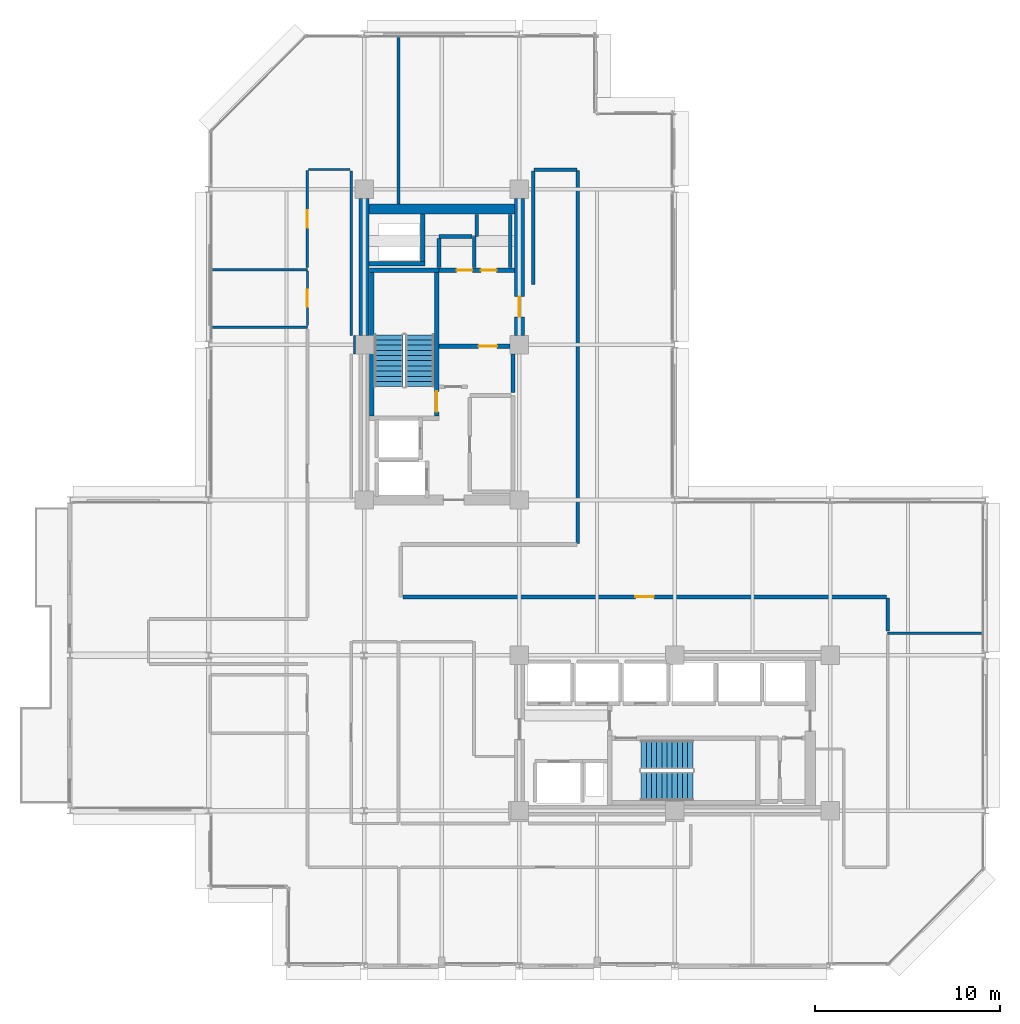
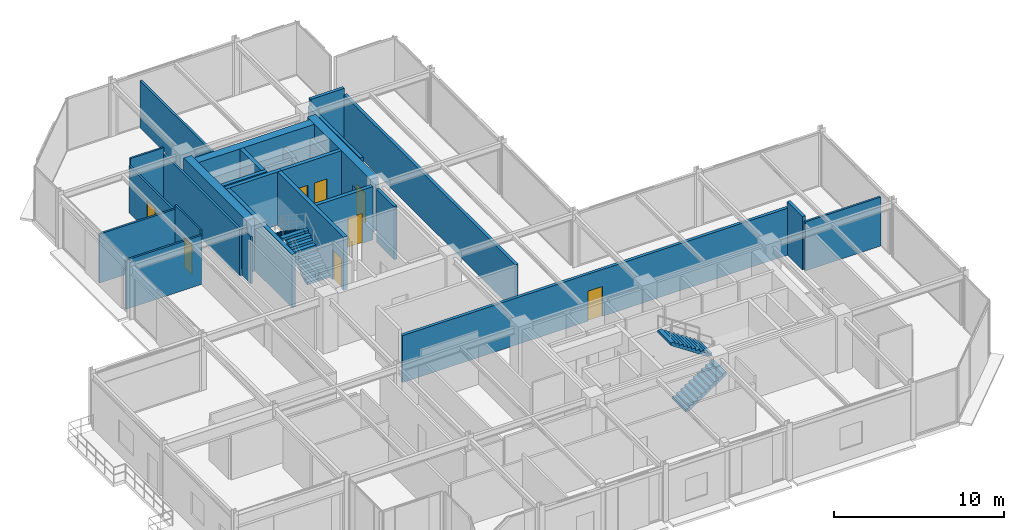
# One storey, part 26 of 29: 30 walls, 8 doors, 4 stair flights, 8 openings, 2 elements without a shape of their own.
"""IFC4 building model written with IfcOpenShell, lengths in metres."""

from ifc_helpers import new_model, si_unit, direction, frame, frame_2d, origin, place, context, subcontext, project, spatial, polyline, rectangle, outline, extrude, material, layer, layer_set, type_object, element, fill, aggregate, save


model = new_model("IFC4")

# Units and contexts
model_context = context("Model", 3, precision=1e-05, world=origin(), true_north=direction((0.0, 1.0)))
body_context = subcontext(model_context, "Body", "Model", "MODEL_VIEW")
ifc_project = project(units=[si_unit("LENGTHUNIT", "METRE"), si_unit("AREAUNIT", "SQUARE_METRE"), si_unit("VOLUMEUNIT", "CUBIC_METRE"), si_unit("PLANEANGLEUNIT", "RADIAN"), si_unit("MASSUNIT", "GRAM", prefix="KILO")], contexts=[model_context])

# Site, building, storey
site_placement = place(None, origin())
site = spatial("IfcSite", under=ifc_project, at=site_placement, CompositionType="ELEMENT")
building_placement = place(site_placement, origin())
building = spatial("IfcBuilding", under=site, at=building_placement, Name="Nerrivon Quay Data Exchange", CompositionType="ELEMENT")
storey_placement = place(building_placement, frame((0.0, 0.0, 179.60009765625)))
storey = spatial("IfcBuildingStorey", under=building, at=storey_placement, Name="L42", CompositionType="ELEMENT", Elevation=179.60009765625)

# Walls
ifc_material_1 = material(Name="Concrete S65 (65 MPa)", Category="concrete")
ifc_layer_1 = layer(ifc_material_1, 0.550048828125)
ifc_layer_set_1 = layer_set([ifc_layer_1], Name="Concrete S65 (65 MPa)")
wall_type_1 = type_object("IfcWallType", Name="WALL-CW-700", PredefinedType="SHEAR", material=ifc_layer_set_1)
wall_1_placement = place(storey_placement, frame((8.39990234375, 34.10009765625, 0.0), z_axis=(0.0, 0.0, 1.0), x_axis=(0.0, 1.0, 0.0)))
element("IfcWall", 1, at=wall_1_placement, inside=storey, type_object=wall_type_1, Name="L42 West Split-Core Shear Wall WCW-W2", PredefinedType="SHEAR", context=body_context, shape_type="SweptSolid", body=[
    extrude(rectangle(XDim=7.39990234375, YDim=0.550048828125, at=frame_2d((3.699951171875, 0.0))), origin(), (0.0, 0.0, 1.0), 3.824951171875),
])
wall_2_placement = place(storey_placement, frame((8.675048828125, 40.925048828125, 0.0), z_axis=(0.0, 0.0, 1.0), x_axis=(1.0, 0.0, 0.0)))
element("IfcWall", 2, at=wall_2_placement, inside=storey, type_object=wall_type_1, Name="L42 West Split-Core Shear Wall WCW-N1", PredefinedType="SHEAR", context=body_context, shape_type="SweptSolid", body=[
    extrude(rectangle(XDim=7.849853515625, YDim=0.550048828125, at=frame_2d((3.9248046875, 0.0))), origin(), (0.0, 0.0, 1.0), 3.824951171875),
])

# Wall, opening, door
wall_3_placement = place(storey_placement, frame((16.800048828125, 34.10009765625, 0.0), z_axis=(0.0, 0.0, 1.0), x_axis=(0.0, 1.0, 0.0)))
wall_3 = element("IfcWall", 3, at=wall_3_placement, inside=storey, type_object=wall_type_1, Name="L42 West Split-Core Shear Wall WCW-E1", PredefinedType="SHEAR", context=body_context, shape_type="SweptSolid", body=[
    extrude(rectangle(XDim=7.39990234375, YDim=0.550048828125, at=frame_2d((3.699951171875, 0.0))), origin(), (0.0, 0.0, 1.0), 3.824951171875),
])
opening_1_placement = place(wall_3_placement, frame((1.0, 0.0, 0.0)))
opening_1 = element("IfcOpeningElement", 4, at=opening_1_placement, cuts=wall_3, Name="Opening FD-120", PredefinedType="OPENING", context=body_context, shape_type="SweptSolid", body=[
    extrude(rectangle(XDim=1.10009765625, YDim=2.14990234375, at=frame_2d((0.550048828125, 1.074951171875))), frame((0.0, 0.284912109375, 0.0), z_axis=(0.0, -1.0, 0.0), x_axis=(1.0, 0.0, 0.0)), (0.0, 0.0, 1.0), 0.570068359375),
])
ifc_material_2 = material(Name="Powder-coated galvanized steel sheet", Category="steel")
door_type_1 = type_object("IfcDoorType", Name="DR-FD120-1100", OperationType="NOTDEFINED", PredefinedType="DOOR", material=ifc_material_2)
door_1_placement = place(opening_1_placement, origin())
door_1 = element("IfcDoor", 5, at=door_1_placement, inside=storey, type_object=door_type_1, Name="L42 West Core Lobby Fire Door", OperationType="SINGLE_SWING_RIGHT", OverallHeight=2.14990234375, OverallWidth=1.10009765625, PredefinedType="DOOR", context=body_context, shape_type="SweptSolid", body=[
    extrude(rectangle(XDim=1.10009765625, YDim=2.14990234375, at=frame_2d((0.550048828125, 1.074951171875))), frame((0.0, 0.02490234375, 0.0), z_axis=(0.0, -1.0, 0.0), x_axis=(1.0, 0.0, 0.0)), (0.0, 0.0, 1.0), 0.050048828125),
])
fill(opening_1, door_1)

# Walls
ifc_material_3 = material(Name="Gypsum plasterboard on cold-formed framing", Category="gypsum")
ifc_layer_2 = layer(ifc_material_3, 0.199951171875)
ifc_layer_set_2 = layer_set([ifc_layer_2], Name="Gypsum plasterboard on cold-formed framing")
wall_type_2 = type_object("IfcWallType", Name="WALL-FW-200", PredefinedType="PARTITIONING", material=ifc_layer_set_2)
wall_4_placement = place(storey_placement, frame((16.449951171875, 31.0, 0.0), z_axis=(0.0, 0.0, 1.0), x_axis=(0.0, 1.0, 0.0)))
element("IfcWall", 6, at=wall_4_placement, inside=storey, type_object=wall_type_2, Name="L42 Partition Core Equipment Closet", PredefinedType="PARTITIONING", context=body_context, shape_type="SweptSolid", body=[
    extrude(rectangle(XDim=2.094970703125, YDim=0.199951171875, at=frame_2d((1.04736328125, 0.0))), origin(), (0.0, 0.0, 1.0), 3.824951171875),
])
wall_5_placement = place(storey_placement, frame((14.35009765625, 37.780029296875, 0.0), z_axis=(0.0, 0.0, 1.0), x_axis=(0.0, 1.0, 0.0)))
element("IfcWall", 7, at=wall_5_placement, inside=storey, type_object=wall_type_2, Name="L42 Partition Equipment Store", PredefinedType="PARTITIONING", context=body_context, shape_type="SweptSolid", body=[
    extrude(rectangle(XDim=1.669921875, YDim=0.199951171875, at=frame_2d((0.8349609375, 0.0))), origin(), (0.0, 0.0, 1.0), 2.875),
])
wall_6_placement = place(storey_placement, frame((14.24609375, 39.449951171875, 0.0), z_axis=(0.0, 0.0, 1.0), x_axis=(-1.0, 0.0, 0.0)))
element("IfcWall", 8, at=wall_6_placement, inside=storey, type_object=wall_type_2, Name="L42 Partition Equipment Store", PredefinedType="PARTITIONING", context=body_context, shape_type="SweptSolid", body=[
    extrude(rectangle(XDim=1.796142578125, YDim=0.199951171875, at=frame_2d((0.89794921875, 0.0))), origin(), (0.0, 0.0, 1.0), 2.875),
])
wall_7_placement = place(storey_placement, frame((12.449951171875, 39.345947265625, 0.0), z_axis=(0.0, 0.0, 1.0), x_axis=(0.0, -1.0, 0.0)))
element("IfcWall", 9, at=wall_7_placement, inside=storey, type_object=wall_type_2, Name="L42 Partition Equipment Store", PredefinedType="PARTITIONING", context=body_context, shape_type="SweptSolid", body=[
    extrude(rectangle(XDim=1.56591796875, YDim=0.199951171875, at=frame_2d((0.782958984375, 0.0))), origin(), (0.0, 0.0, 1.0), 2.875),
])
wall_8_placement = place(storey_placement, frame((16.300048828125, 37.780029296875, 0.0), z_axis=(0.0, 0.0, 1.0), x_axis=(0.0, 1.0, 0.0)))
element("IfcWall", 10, at=wall_8_placement, inside=storey, type_object=wall_type_2, Name="L42 Partition Cleaners Store", PredefinedType="PARTITIONING", context=body_context, shape_type="SweptSolid", body=[
    extrude(rectangle(XDim=2.865966796875, YDim=0.199951171875, at=frame_2d((1.43310546875, 0.0))), origin(), (0.0, 0.0, 1.0), 2.875),
])
wall_9_placement = place(storey_placement, frame((14.489990234375, 40.64599609375, 0.0), z_axis=(0.0, 0.0, 1.0), x_axis=(0.0, -1.0, 0.0)))
element("IfcWall", 11, at=wall_9_placement, inside=storey, type_object=wall_type_2, Name="L42 Partition Cleaners Store", PredefinedType="PARTITIONING", context=body_context, shape_type="SweptSolid", body=[
    extrude(rectangle(XDim=1.196044921875, YDim=0.199951171875, at=frame_2d((0.59814453125, 0.0))), origin(), (0.0, 0.0, 1.0), 2.875),
])
wall_10_placement = place(storey_placement, frame((36.7099609375, 19.89990234375, 0.0), z_axis=(0.0, 0.0, 1.0), x_axis=(0.0, -1.0, 0.0)))
element("IfcWall", 12, at=wall_10_placement, inside=storey, type_object=wall_type_2, Name="L42 Partition Colocation Data Workspace 1", PredefinedType="PARTITIONING", context=body_context, shape_type="SweptSolid", body=[
    extrude(rectangle(XDim=1.78076171875, YDim=0.199951171875, at=frame_2d((0.890380859375, 0.0))), origin(), (0.0, 0.0, 1.0), 3.824951171875),
])
wall_11_placement = place(storey_placement, frame((17.5400390625, 36.860107421875, 0.0), z_axis=(0.0, 0.0, 1.0), x_axis=(0.0, 1.0, 0.0)))
element("IfcWall", 13, at=wall_11_placement, inside=storey, type_object=wall_type_2, Name="L42 Partition Colocation Data Workspace 1", PredefinedType="PARTITIONING", context=body_context, shape_type="SweptSolid", body=[
    extrude(rectangle(XDim=6.139892578125, YDim=0.199951171875, at=frame_2d((3.06982421875, 0.0))), origin(), (0.0, 0.0, 1.0), 3.364990234375),
])
wall_12_placement = place(storey_placement, frame((17.60009765625, 43.06005859375, 0.0), z_axis=(0.0, 0.0, 1.0), x_axis=(1.0, 0.0, 0.0)))
element("IfcWall", 14, at=wall_12_placement, inside=storey, type_object=wall_type_2, Name="L42 Partition Colocation Data Workspace 1", PredefinedType="PARTITIONING", context=body_context, shape_type="SweptSolid", body=[
    extrude(rectangle(XDim=2.2998046875, YDim=0.199951171875, at=frame_2d((1.14990234375, 0.0))), origin(), (0.0, 0.0, 1.0), 3.824951171875),
])
wall_13_placement = place(storey_placement, frame((19.9599609375, 43.0, 0.0), z_axis=(0.0, 0.0, 1.0), x_axis=(0.0, -1.0, 0.0)))
element("IfcWall", 15, at=wall_13_placement, inside=storey, type_object=wall_type_2, Name="L42 Partition Colocation Data Workspace 1", PredefinedType="PARTITIONING", context=body_context, shape_type="SweptSolid", body=[
    extrude(rectangle(XDim=20.14990234375, YDim=0.199951171875, at=frame_2d((10.074951171875, 0.0))), origin(), (0.0, 0.0, 1.0), 3.364990234375),
])

# Wall, opening, door
wall_14_placement = place(storey_placement, frame((10.493896484375, 19.9599609375, 0.0), z_axis=(0.0, 0.0, 1.0), x_axis=(1.0, 0.0, 0.0)))
wall_14 = element("IfcWall", 16, at=wall_14_placement, inside=storey, type_object=wall_type_2, Name="L42 Partition Colocation Data Workspace 1", PredefinedType="PARTITIONING", context=body_context, shape_type="SweptSolid", body=[
    extrude(rectangle(XDim=26.156005859375, YDim=0.199951171875, at=frame_2d((13.078125, 0.0))), origin(), (0.0, 0.0, 1.0), 3.370849609375),
])
opening_2_placement = place(wall_14_placement, frame((12.578125, 0.0, 0.0)))
opening_2 = element("IfcOpeningElement", 17, at=opening_2_placement, cuts=wall_14, Name="Opening FD-60", PredefinedType="OPENING", context=body_context, shape_type="SweptSolid", body=[
    extrude(rectangle(XDim=1.0, YDim=2.14990234375, at=frame_2d((0.5, 1.074951171875))), frame((0.0, 0.10986328125, 0.0), z_axis=(0.0, -1.0, 0.0), x_axis=(1.0, 0.0, 0.0)), (0.0, 0.0, 1.0), 0.219970703125),
])
ifc_material_4 = material(Name="Engineered hardwood timber", Category="wood")
door_type_2 = type_object("IfcDoorType", Name="DR-FD60-1000", OperationType="NOTDEFINED", PredefinedType="DOOR", material=ifc_material_4)
door_2_placement = place(opening_2_placement, origin())
door_2 = element("IfcDoor", 18, at=door_2_placement, inside=storey, type_object=door_type_2, Name="L42 Door Colocation Data Workspace 1", OperationType="SINGLE_SWING_RIGHT", OverallHeight=2.14990234375, OverallWidth=1.0, PredefinedType="DOOR", context=body_context, shape_type="SweptSolid", body=[
    extrude(rectangle(XDim=1.0, YDim=2.14990234375, at=frame_2d((0.5, 1.074951171875))), frame((0.0, 0.02490234375, 0.0), z_axis=(0.0, -1.0, 0.0), x_axis=(1.0, 0.0, 0.0)), (0.0, 0.0, 1.0), 0.050048828125),
])
fill(opening_2, door_2)

ifc_layer_3 = layer(ifc_material_3, 0.1201171875)
ifc_layer_set_3 = layer_set([ifc_layer_3], Name="Gypsum plasterboard on cold-formed framing")
wall_type_3 = type_object("IfcWallType", Name="WALL-PT-120", PredefinedType="PARTITIONING", material=ifc_layer_set_3)
wall_15_placement = place(storey_placement, frame((5.340087890625, 34.62158203125, 0.0), z_axis=(0.0, 0.0, 1.0), x_axis=(0.0, 1.0, 0.0)))
wall_15 = element("IfcWall", 19, at=wall_15_placement, inside=storey, type_object=wall_type_3, Name="L42 Partition Public Washrooms", PredefinedType="PARTITIONING", context=body_context, shape_type="SweptSolid", body=[
    extrude(rectangle(XDim=2.95703125, YDim=0.1201171875, at=frame_2d((1.478515625, 0.0))), origin(), (0.0, 0.0, 1.0), 3.824951171875),
])
opening_3_placement = place(wall_15_placement, frame((1.0185546875, 0.0, 0.0)))
opening_3 = element("IfcOpeningElement", 20, at=opening_3_placement, cuts=wall_15, Name="Opening D-WC", PredefinedType="OPENING", context=body_context, shape_type="SweptSolid", body=[
    extrude(rectangle(XDim=0.919921875, YDim=2.10009765625, at=frame_2d((0.4599609375, 1.050048828125))), frame((0.0, 0.070068359375, 0.0), z_axis=(0.0, -1.0, 0.0), x_axis=(1.0, 0.0, 0.0)), (0.0, 0.0, 1.0), 0.14013671875),
])
door_type_3 = type_object("IfcDoorType", Name="DR-WC-920", OperationType="NOTDEFINED", PredefinedType="DOOR", material=ifc_material_4)
door_3_placement = place(opening_3_placement, origin())
door_3 = element("IfcDoor", 21, at=door_3_placement, inside=storey, type_object=door_type_3, Name="L42 Door Public Washrooms", OperationType="SINGLE_SWING_LEFT", OverallHeight=2.10009765625, OverallWidth=0.919921875, PredefinedType="DOOR", context=body_context, shape_type="SweptSolid", body=[
    extrude(rectangle(XDim=0.919921875, YDim=2.10009765625, at=frame_2d((0.4599609375, 1.050048828125))), frame((0.0, 0.02490234375, 0.0), z_axis=(0.0, -1.0, 0.0), x_axis=(1.0, 0.0, 0.0)), (0.0, 0.0, 1.0), 0.050048828125),
])
fill(opening_3, door_3)

# Walls
wall_16_placement = place(storey_placement, frame((7.88037109375, 33.09619140625, 0.0), z_axis=(0.0, 0.0, 1.0), x_axis=(-0.000486381265, 0.999999881717, 0.0)))
element("IfcWall", 22, at=wall_16_placement, inside=storey, type_object=wall_type_3, Name="L42 Partition Network Security Control", PredefinedType="PARTITIONING", context=body_context, shape_type="SweptSolid", body=[
    extrude(rectangle(XDim=1.00390625, YDim=0.1201171875, at=frame_2d((0.501953125, 0.0))), origin(), (0.0, 0.0, 1.0), 3.364990234375),
])
wall_17_placement = place(storey_placement, frame((5.39990234375, 43.06005859375, 0.0), z_axis=(0.0, 0.0, 1.0), x_axis=(1.0, 0.0, 0.0)))
element("IfcWall", 23, at=wall_17_placement, inside=storey, type_object=wall_type_3, Name="L42 Partition Network Security Control", PredefinedType="PARTITIONING", context=body_context, shape_type="SweptSolid", body=[
    extrude(rectangle(XDim=2.25, YDim=0.1201171875, at=frame_2d((1.125, 0.0))), origin(), (0.0, 0.0, 1.0), 3.824951171875),
])
ifc_layer_4 = layer(ifc_material_3, 0.135009765625)
ifc_layer_set_4 = layer_set([ifc_layer_4], Name="Gypsum plasterboard on cold-formed framing")
wall_type_4 = type_object("IfcWallType", Name="WALL-PT-135", PredefinedType="PARTITIONING", material=ifc_layer_set_4)
for number, where, z_axis, x_axis, name in (
    (24, (5.340087890625, 37.64990234375, 0.0), (0.0, 0.0, 1.0), (-1.0, 0.0, 0.0), "L42 Partition Public Washrooms"),
    (25, (0.1689453125, 34.550048828125, 0.0), (0.0, 0.0, 1.0), (1.0, 0.0, 0.0), "L42 Partition Public Washrooms"),
):
    element("IfcWall", number, at=place(storey_placement, frame(where, z_axis=z_axis, x_axis=x_axis)), inside=storey, type_object=wall_type_4, Name=name, PredefinedType="PARTITIONING", context=body_context, shape_type="SweptSolid", body=[
        extrude(rectangle(XDim=5.171142578125, YDim=0.135009765625, at=frame_2d((2.58544921875, 0.0))), origin(), (0.0, 0.0, 1.0), 3.517822265625),
    ])

# Wall, opening, door
wall_18_placement = place(storey_placement, frame((5.340087890625, 37.77001953125, 0.0), z_axis=(0.0, 0.0, 1.0), x_axis=(0.0, 1.0, 0.0)))
wall_18 = element("IfcWall", 26, at=wall_18_placement, inside=storey, type_object=wall_type_4, Name="L42 Partition Network Security Control", PredefinedType="PARTITIONING", context=body_context, shape_type="SweptSolid", body=[
    extrude(rectangle(XDim=5.22998046875, YDim=0.135009765625, at=frame_2d((2.614990234375, 0.0))), origin(), (0.0, 0.0, 1.0), 3.364990234375),
])
opening_4_placement = place(wall_18_placement, frame((2.139892578125, 0.0, 0.0)))
opening_4 = element("IfcOpeningElement", 27, at=opening_4_placement, cuts=wall_18, Name="Opening D-01", PredefinedType="OPENING", context=body_context, shape_type="SweptSolid", body=[
    extrude(rectangle(XDim=0.949951171875, YDim=2.14990234375, at=frame_2d((0.47509765625, 1.074951171875))), frame((0.0, 0.077392578125, 0.0), z_axis=(0.0, -1.0, 0.0), x_axis=(1.0, 0.0, 0.0)), (0.0, 0.0, 1.0), 0.155029296875),
])
door_type_4 = type_object("IfcDoorType", Name="DR-INT-950", OperationType="NOTDEFINED", PredefinedType="DOOR", material=ifc_material_4)
door_4_placement = place(opening_4_placement, origin())
door_4 = element("IfcDoor", 28, at=door_4_placement, inside=storey, type_object=door_type_4, Name="L42 Door Network Security Control", OperationType="SINGLE_SWING_LEFT", OverallHeight=2.14990234375, OverallWidth=0.949951171875, PredefinedType="DOOR", context=body_context, shape_type="SweptSolid", body=[
    extrude(rectangle(XDim=0.949951171875, YDim=2.14990234375, at=frame_2d((0.47509765625, 1.074951171875))), frame((0.0, 0.02490234375, 0.0), z_axis=(0.0, -1.0, 0.0), x_axis=(1.0, 0.0, 0.0)), (0.0, 0.0, 1.0), 0.050048828125),
])
fill(opening_4, door_4)

# Walls
wall_19_placement = place(storey_placement, frame((41.8310546875, 17.999267578125, 0.0), z_axis=(0.0, 0.0, 1.0), x_axis=(-1.0, 0.0, 0.0)))
element("IfcWall", 29, at=wall_19_placement, inside=storey, type_object=wall_type_4, Name="L42 Partition Technical Library", PredefinedType="PARTITIONING", context=body_context, shape_type="SweptSolid", body=[
    extrude(rectangle(XDim=5.12109375, YDim=0.135009765625, at=frame_2d((2.560546875, 0.0))), origin(), (0.0, 0.0, 1.0), 3.517822265625),
])
ifc_layer_5 = layer(ifc_material_3, 0.14990234375)
ifc_layer_set_5 = layer_set([ifc_layer_5], Name="Gypsum plasterboard on cold-formed framing")
wall_type_5 = type_object("IfcWallType", Name="WALL-PT-150", PredefinedType="PARTITIONING", material=ifc_layer_set_5)
wall_20_placement = place(storey_placement, frame((10.269775390625, 41.2041015625, 0.0), z_axis=(0.0, 0.0, 1.0), x_axis=(0.0, 1.0, 0.0)))
element("IfcWall", 30, at=wall_20_placement, inside=storey, type_object=wall_type_5, Name="L42 Partition Network Security Control", PredefinedType="PARTITIONING", context=body_context, shape_type="SweptSolid", body=[
    extrude(rectangle(XDim=9.02685546875, YDim=0.14990234375, at=frame_2d((4.513427734375, 0.0))), origin(), (0.0, 0.0, 1.0), 3.364990234375),
])
wall_21_placement = place(storey_placement, frame((7.7099609375, 43.0, 0.0), z_axis=(0.0, 0.0, 1.0), x_axis=(0.0, -1.0, 0.0)))
element("IfcWall", 31, at=wall_21_placement, inside=storey, type_object=wall_type_5, Name="L42 Partition Network Security Control", PredefinedType="PARTITIONING", context=body_context, shape_type="SweptSolid", body=[
    extrude(rectangle(XDim=8.900146484375, YDim=0.14990234375, at=frame_2d((4.4501953125, 0.0))), origin(), (0.0, 0.0, 1.0), 3.364990234375),
])
ifc_material_5 = material(Name="Concrete N50 (50 MPa)", Category="concrete")
ifc_layer_6 = layer(ifc_material_5, 0.25)
ifc_layer_set_6 = layer_set([ifc_layer_6], Name="Concrete N50 (50 MPa)")
wall_type_6 = type_object("IfcWallType", Name="WALL-SW-250", PredefinedType="SHEAR", material=ifc_layer_set_6)
wall_22_placement = place(storey_placement, frame((12.449951171875, 37.625, 0.0), z_axis=(0.0, 0.0, 1.0), x_axis=(-1.0, 0.0, 0.0)))
element("IfcWall", 32, at=wall_22_placement, inside=storey, type_object=wall_type_6, Name="L42 ST01 Structural Stair Core Wall FAR", PredefinedType="SHEAR", context=body_context, shape_type="SweptSolid", body=[
    extrude(rectangle(XDim=3.75, YDim=0.25, at=frame_2d((1.875, 0.0))), origin(), (0.0, 0.0, 1.0), 3.824951171875),
])

# Wall, opening, door
wall_23_placement = place(storey_placement, frame((12.324951171875, 29.75, 0.0), z_axis=(0.0, 0.0, 1.0), x_axis=(0.0, 1.0, 0.0)))
wall_23 = element("IfcWall", 33, at=wall_23_placement, inside=storey, type_object=wall_type_6, Name="L42 ST01 Structural Stair Core Wall LEFT", PredefinedType="SHEAR", context=body_context, shape_type="SweptSolid", body=[
    extrude(rectangle(XDim=7.75, YDim=0.25, at=frame_2d((3.875, 0.0))), origin(), (0.0, 0.0, 1.0), 3.824951171875),
])
opening_5_placement = place(wall_23_placement, frame((0.219970703125, 0.0, 0.0)))
opening_5 = element("IfcOpeningElement", 34, at=opening_5_placement, cuts=wall_23, Name="Opening FD-120", PredefinedType="OPENING", context=body_context, shape_type="SweptSolid", body=[
    extrude(rectangle(XDim=1.10009765625, YDim=2.14990234375, at=frame_2d((0.550048828125, 1.074951171875))), frame((0.0, 0.135009765625, 0.0), z_axis=(0.0, -1.0, 0.0), x_axis=(1.0, 0.0, 0.0)), (0.0, 0.0, 1.0), 0.27001953125),
])
door_5_placement = place(opening_5_placement, origin())
door_5 = element("IfcDoor", 35, at=door_5_placement, inside=storey, type_object=door_type_1, Name="L42 Protected Stair Door ST01", OperationType="SINGLE_SWING_RIGHT", OverallHeight=2.14990234375, OverallWidth=1.10009765625, PredefinedType="DOOR", context=body_context, shape_type="SweptSolid", body=[
    extrude(rectangle(XDim=1.10009765625, YDim=2.14990234375, at=frame_2d((0.550048828125, 1.074951171875))), frame((0.0, 0.02490234375, 0.0), z_axis=(0.0, -1.0, 0.0), x_axis=(1.0, 0.0, 0.0)), (0.0, 0.0, 1.0), 0.050048828125),
])
fill(opening_5, door_5)

# Walls
wall_24_placement = place(storey_placement, frame((8.824951171875, 29.75, 0.0), z_axis=(0.0, 0.0, 1.0), x_axis=(0.0, 1.0, 0.0)))
element("IfcWall", 36, at=wall_24_placement, inside=storey, type_object=wall_type_6, Name="L42 ST01 Structural Stair Core Wall RIGHT", PredefinedType="SHEAR", context=body_context, shape_type="SweptSolid", body=[
    extrude(rectangle(XDim=7.75, YDim=0.25, at=frame_2d((3.875, 0.0))), origin(), (0.0, 0.0, 1.0), 3.824951171875),
])
wall_25_placement = place(storey_placement, frame((8.675048828125, 37.97509765625, 0.0), z_axis=(0.0, 0.0, 1.0), x_axis=(1.0, 0.0, 0.0)))
element("IfcWall", 37, at=wall_25_placement, inside=storey, type_object=wall_type_6, Name="L42 West Core MEP Riser Shaft Wall S", PredefinedType="SHEAR", context=body_context, shape_type="SweptSolid", body=[
    extrude(rectangle(XDim=3.02490234375, YDim=0.25, at=frame_2d((1.512451171875, 0.0))), origin(), (0.0, 0.0, 1.0), 3.824951171875),
])
wall_26_placement = place(storey_placement, frame((11.574951171875, 38.10009765625, 0.0), z_axis=(0.0, 0.0, 1.0), x_axis=(0.0, 1.0, 0.0)))
element("IfcWall", 38, at=wall_26_placement, inside=storey, type_object=wall_type_6, Name="L42 West Core MEP Riser Shaft Wall E", PredefinedType="SHEAR", context=body_context, shape_type="SweptSolid", body=[
    extrude(rectangle(XDim=2.5498046875, YDim=0.25, at=frame_2d((1.27490234375, 0.0))), origin(), (0.0, 0.0, 1.0), 3.824951171875),
])

# Wall, opening, door
wall_27_placement = place(storey_placement, frame((12.449951171875, 33.52001953125, 0.0), z_axis=(0.0, 0.0, 1.0), x_axis=(1.0, 0.0, 0.0)))
wall_27 = element("IfcWall", 39, at=wall_27_placement, inside=storey, type_object=wall_type_6, Name="L42 West Lobby Smoke-Stop Wall", PredefinedType="SHEAR", context=body_context, shape_type="SweptSolid", body=[
    extrude(rectangle(XDim=3.85009765625, YDim=0.25, at=frame_2d((1.925048828125, 0.0))), origin(), (0.0, 0.0, 1.0), 3.824951171875),
])
opening_6_placement = place(wall_27_placement, frame((2.14990234375, 0.0, 0.0)))
opening_6 = element("IfcOpeningElement", 40, at=opening_6_placement, cuts=wall_27, Name="Opening FD-60", PredefinedType="OPENING", context=body_context, shape_type="SweptSolid", body=[
    extrude(rectangle(XDim=1.0, YDim=2.14990234375, at=frame_2d((0.5, 1.074951171875))), frame((0.0, 0.135009765625, 0.0), z_axis=(0.0, -1.0, 0.0), x_axis=(1.0, 0.0, 0.0)), (0.0, 0.0, 1.0), 0.27001953125),
])
door_6_placement = place(opening_6_placement, origin())
door_6 = element("IfcDoor", 41, at=door_6_placement, inside=storey, type_object=door_type_2, Name="L42 West Firefighting Lobby Fire Door", OperationType="SINGLE_SWING_RIGHT", OverallHeight=2.14990234375, OverallWidth=1.0, PredefinedType="DOOR", context=body_context, shape_type="SweptSolid", body=[
    extrude(rectangle(XDim=1.0, YDim=2.14990234375, at=frame_2d((0.5, 1.074951171875))), frame((0.0, 0.02490234375, 0.0), z_axis=(0.0, -1.0, 0.0), x_axis=(1.0, 0.0, 0.0)), (0.0, 0.0, 1.0), 0.050048828125),
])
fill(opening_6, door_6)

# Wall, openings, doors
wall_28_placement = place(storey_placement, frame((12.449951171875, 37.625, 0.0), z_axis=(0.0, 0.0, 1.0), x_axis=(1.0, 0.0, 0.0)))
wall_28 = element("IfcWall", 42, at=wall_28_placement, inside=storey, type_object=wall_type_6, Name="L42 West Firefighting Lobby Wall", PredefinedType="SHEAR", context=body_context, shape_type="SweptSolid", body=[
    extrude(rectangle(XDim=4.074951171875, YDim=0.25, at=frame_2d((2.03759765625, 0.0))), origin(), (0.0, 0.0, 1.0), 3.824951171875),
])
opening_7_placement = place(wall_28_placement, frame((0.96044921875, 0.0, 0.0)))
opening_7 = element("IfcOpeningElement", 43, at=opening_7_placement, cuts=wall_28, Name="Opening FD-60S", PredefinedType="OPENING", context=body_context, shape_type="SweptSolid", body=[
    extrude(rectangle(XDim=0.85009765625, YDim=2.14990234375, at=frame_2d((0.425048828125, 1.074951171875))), frame((0.0, 0.135009765625, 0.0), z_axis=(0.0, -1.0, 0.0), x_axis=(1.0, 0.0, 0.0)), (0.0, 0.0, 1.0), 0.27001953125),
])
opening_8_placement = place(wall_28_placement, frame((2.264404296875, 0.0, 0.0)))
opening_8 = element("IfcOpeningElement", 44, at=opening_8_placement, cuts=wall_28, Name="Opening FD-60S", PredefinedType="OPENING", context=body_context, shape_type="SweptSolid", body=[
    extrude(rectangle(XDim=0.85009765625, YDim=2.14990234375, at=frame_2d((0.425048828125, 1.074951171875))), frame((0.0, 0.135009765625, 0.0), z_axis=(0.0, -1.0, 0.0), x_axis=(1.0, 0.0, 0.0)), (0.0, 0.0, 1.0), 0.27001953125),
])
door_type_5 = type_object("IfcDoorType", Name="DR-FD60-850", OperationType="NOTDEFINED", PredefinedType="DOOR", material=ifc_material_4)
door_7_placement = place(opening_7_placement, origin())
door_7 = element("IfcDoor", 45, at=door_7_placement, inside=storey, type_object=door_type_5, Name="L42 Door Equipment Store", OperationType="SINGLE_SWING_RIGHT", OverallHeight=2.14990234375, OverallWidth=0.85009765625, PredefinedType="DOOR", context=body_context, shape_type="SweptSolid", body=[
    extrude(rectangle(XDim=0.85009765625, YDim=2.14990234375, at=frame_2d((0.425048828125, 1.074951171875))), frame((0.0, 0.02490234375, 0.0), z_axis=(0.0, -1.0, 0.0), x_axis=(1.0, 0.0, 0.0)), (0.0, 0.0, 1.0), 0.050048828125),
])
fill(opening_7, door_7)
door_8_placement = place(opening_8_placement, origin())
door_8 = element("IfcDoor", 46, at=door_8_placement, inside=storey, type_object=door_type_5, Name="L42 Door Cleaners Store", OperationType="SINGLE_SWING_LEFT", OverallHeight=2.14990234375, OverallWidth=0.85009765625, PredefinedType="DOOR", context=body_context, shape_type="SweptSolid", body=[
    extrude(rectangle(XDim=0.85009765625, YDim=2.14990234375, at=frame_2d((0.425048828125, 1.074951171875))), frame((0.0, 0.02490234375, 0.0), z_axis=(0.0, -1.0, 0.0), x_axis=(1.0, 0.0, 0.0)), (0.0, 0.0, 1.0), 0.050048828125),
])
fill(opening_8, door_8)

# Stair, stair flights
stair_type = type_object("IfcStairType", Name="STAIR-DOG-41", PredefinedType="HALF_TURN_STAIR", material=ifc_material_5)
stair_1_placement = place(storey_placement, origin())
stair_1 = element("IfcStair", 47, at=stair_1_placement, inside=storey, type_object=stair_type, Name="L42 West Core Fire Stair ST01", PredefinedType="HALF_TURN_STAIR")
stair_flight_type = type_object("IfcStairFlightType", Name="FLIGHT-DOG-41", PredefinedType="STRAIGHT", material=ifc_material_5)
stair_flight_1_placement = place(storey_placement, frame((11.425048828125, 31.330078125, 0.0), z_axis=(0.0, 0.0, 1.0), x_axis=(0.0, 1.0, 0.0)))
stair_flight_1 = element("IfcStairFlight", 48, at=stair_flight_1_placement, type_object=stair_flight_type, Name="ST01 flight 1", NumberOfRisers=11, NumberOfTreads=10, PredefinedType="STRAIGHT", RiserHeight=0.186363636, TreadLength=0.28, context=body_context, shape_type="SweptSolid", body=[
    extrude(outline(polyline([(0.0, 0.0), (0.0, 0.186279296875), (0.280029296875, 0.186279296875), (0.280029296875, 0.372802734375), (0.56005859375, 0.372802734375), (0.56005859375, 0.55908203125), (0.840087890625, 0.55908203125), (0.840087890625, 0.745361328125), (1.1201171875, 0.745361328125), (1.1201171875, 0.931884765625), (1.39990234375, 0.931884765625), (1.39990234375, 1.1181640625), (1.679931640625, 1.1181640625), (1.679931640625, 1.304443359375), (1.9599609375, 1.304443359375), (1.9599609375, 1.490966796875), (2.239990234375, 1.490966796875), (2.239990234375, 1.67724609375), (2.52001953125, 1.67724609375), (2.52001953125, 1.863525390625), (2.800048828125, 1.863525390625), (2.800048828125, 2.050048828125), (2.800048828125, 1.68359375), (0.2705078125, 0.0), (0.0, 0.0)])), frame((0.0, 0.77490234375, 0.0), z_axis=(0.0, -1.0, 0.0), x_axis=(1.0, 0.0, 0.0)), (0.0, 0.0, 1.0), 1.550048828125),
])
stair_flight_2_placement = place(storey_placement, frame((9.72509765625, 34.1298828125, 2.0498046875), z_axis=(0.0, 0.0, 1.0), x_axis=(0.0, -1.0, 0.0)))
stair_flight_2 = element("IfcStairFlight", 49, at=stair_flight_2_placement, type_object=stair_flight_type, Name="ST01 flight 2", NumberOfRisers=11, NumberOfTreads=10, PredefinedType="STRAIGHT", RiserHeight=0.186363636, TreadLength=0.28, context=body_context, shape_type="SweptSolid", body=[
    extrude(outline(polyline([(0.0, 0.0), (0.0, 0.186279296875), (0.280029296875, 0.186279296875), (0.280029296875, 0.372802734375), (0.56005859375, 0.372802734375), (0.56005859375, 0.55908203125), (0.840087890625, 0.55908203125), (0.840087890625, 0.745361328125), (1.1201171875, 0.745361328125), (1.1201171875, 0.931884765625), (1.39990234375, 0.931884765625), (1.39990234375, 1.1181640625), (1.679931640625, 1.1181640625), (1.679931640625, 1.304443359375), (1.9599609375, 1.304443359375), (1.9599609375, 1.490966796875), (2.239990234375, 1.490966796875), (2.239990234375, 1.67724609375), (2.52001953125, 1.67724609375), (2.52001953125, 1.863525390625), (2.800048828125, 1.863525390625), (2.800048828125, 2.050048828125), (2.800048828125, 1.68359375), (0.2705078125, 0.0), (0.0, 0.0)])), frame((0.0, 0.77490234375, 0.0), z_axis=(0.0, -1.0, 0.0), x_axis=(1.0, 0.0, 0.0)), (0.0, 0.0, 1.0), 1.550048828125),
])
aggregate(stair_1, [stair_flight_1, stair_flight_2])

stair_2_placement = place(storey_placement, origin())
stair_2 = element("IfcStair", 50, at=stair_2_placement, inside=storey, type_object=stair_type, Name="L42 East Core Fire Stair ST02", PredefinedType="HALF_TURN_STAIR")
stair_flight_3_placement = place(storey_placement, frame((23.3798828125, 9.72509765625, 0.0), z_axis=(0.0, 0.0, 1.0), x_axis=(1.0, 0.0, 0.0)))
stair_flight_3 = element("IfcStairFlight", 51, at=stair_flight_3_placement, type_object=stair_flight_type, Name="ST02 flight 1", NumberOfRisers=11, NumberOfTreads=10, PredefinedType="STRAIGHT", RiserHeight=0.186363636, TreadLength=0.28, context=body_context, shape_type="SweptSolid", body=[
    extrude(outline(polyline([(0.0, 0.0), (0.0, 0.186279296875), (0.280029296875, 0.186279296875), (0.280029296875, 0.372802734375), (0.56005859375, 0.372802734375), (0.56005859375, 0.55908203125), (0.840087890625, 0.55908203125), (0.840087890625, 0.745361328125), (1.1201171875, 0.745361328125), (1.1201171875, 0.931884765625), (1.39990234375, 0.931884765625), (1.39990234375, 1.1181640625), (1.679931640625, 1.1181640625), (1.679931640625, 1.304443359375), (1.9599609375, 1.304443359375), (1.9599609375, 1.490966796875), (2.239990234375, 1.490966796875), (2.239990234375, 1.67724609375), (2.52001953125, 1.67724609375), (2.52001953125, 1.863525390625), (2.800048828125, 1.863525390625), (2.800048828125, 2.050048828125), (2.800048828125, 1.68359375), (0.2705078125, 0.0), (0.0, 0.0)])), frame((0.0, 0.77490234375, 0.0), z_axis=(0.0, -1.0, 0.0), x_axis=(1.0, 0.0, 0.0)), (0.0, 0.0, 1.0), 1.550048828125),
])
stair_flight_4_placement = place(storey_placement, frame((26.179931640625, 11.425048828125, 2.0498046875), z_axis=(0.0, 0.0, 1.0), x_axis=(-1.0, 0.0, 0.0)))
stair_flight_4 = element("IfcStairFlight", 52, at=stair_flight_4_placement, type_object=stair_flight_type, Name="ST02 flight 2", NumberOfRisers=11, NumberOfTreads=10, PredefinedType="STRAIGHT", RiserHeight=0.186363636, TreadLength=0.28, context=body_context, shape_type="SweptSolid", body=[
    extrude(outline(polyline([(0.0, 0.0), (0.0, 0.186279296875), (0.280029296875, 0.186279296875), (0.280029296875, 0.372802734375), (0.56005859375, 0.372802734375), (0.56005859375, 0.55908203125), (0.840087890625, 0.55908203125), (0.840087890625, 0.745361328125), (1.1201171875, 0.745361328125), (1.1201171875, 0.931884765625), (1.39990234375, 0.931884765625), (1.39990234375, 1.1181640625), (1.679931640625, 1.1181640625), (1.679931640625, 1.304443359375), (1.9599609375, 1.304443359375), (1.9599609375, 1.490966796875), (2.239990234375, 1.490966796875), (2.239990234375, 1.67724609375), (2.52001953125, 1.67724609375), (2.52001953125, 1.863525390625), (2.800048828125, 1.863525390625), (2.800048828125, 2.050048828125), (2.800048828125, 1.68359375), (0.2705078125, 0.0), (0.0, 0.0)])), frame((0.0, 0.77490234375, 0.0), z_axis=(0.0, -1.0, 0.0), x_axis=(1.0, 0.0, 0.0)), (0.0, 0.0, 1.0), 1.550048828125),
])
aggregate(stair_2, [stair_flight_3, stair_flight_4])

save(model, "model.ifc")
